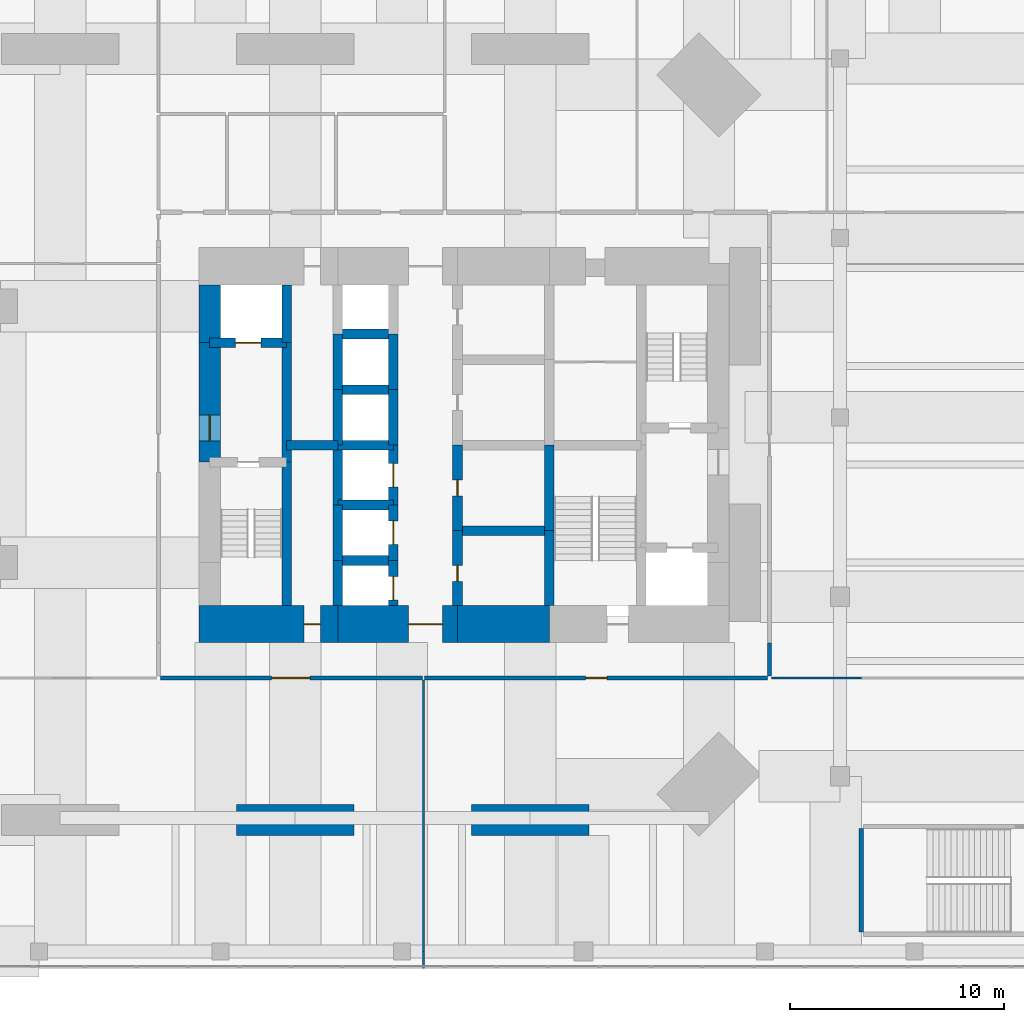
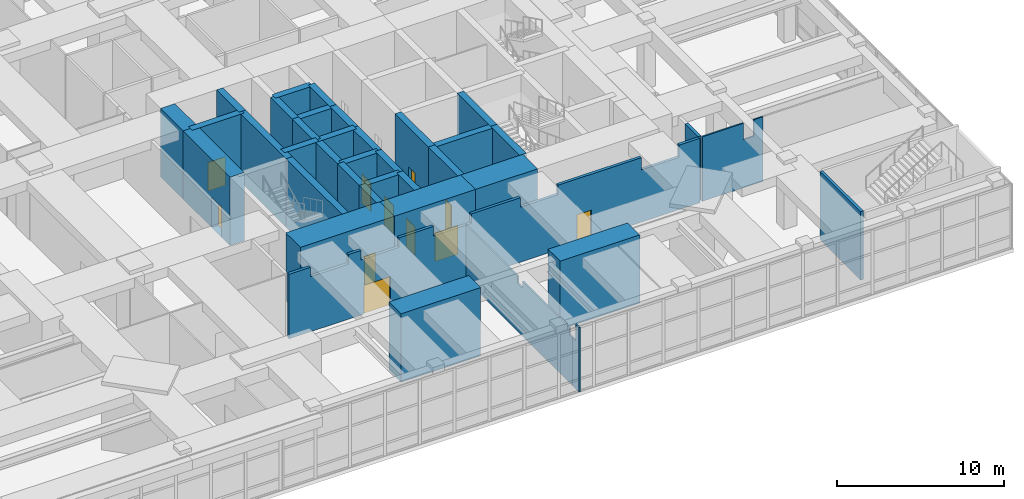
# One storey, part 19 of 24: 39 walls, 11 doors, 11 openings.
"""IFC4 building model written with IfcOpenShell, lengths in metres."""

from ifc_helpers import new_model, si_unit, direction, frame, frame_2d, origin, place, context, subcontext, project, spatial, polyline, rectangle, outline, extrude, material, layer, layer_set, constituent, constituent_set, type_object, element, fill, save


model = new_model("IFC4")

# Units and contexts
model_context = context("Model", 3, precision=1e-05, world=origin(), true_north=direction((0.0, 1.0)))
body_context = subcontext(model_context, "Body", "Model", "MODEL_VIEW")
ifc_project = project(units=[si_unit("LENGTHUNIT", "METRE"), si_unit("AREAUNIT", "SQUARE_METRE"), si_unit("VOLUMEUNIT", "CUBIC_METRE"), si_unit("PLANEANGLEUNIT", "RADIAN"), si_unit("MASSUNIT", "GRAM", prefix="KILO")], contexts=[model_context])

# Site, building, storey
site_placement = place(None, origin())
site = spatial("IfcSite", under=ifc_project, at=site_placement, CompositionType="ELEMENT")
building_placement = place(site_placement, origin())
building = spatial("IfcBuilding", under=site, at=building_placement, Name="Jalousie Tower", CompositionType="ELEMENT")
storey_placement = place(building_placement, frame((0.0, 0.0, 11.0)))
storey = spatial("IfcBuildingStorey", under=building, at=storey_placement, Name="L02", CompositionType="ELEMENT", Elevation=11.0)

# Wall
ifc_material_1 = material(Name="Concrete f'c 120 MPa", Category="concrete")
ifc_layer_1 = layer(ifc_material_1, 1.0)
ifc_layer_set_1 = layer_set([ifc_layer_1], Name="Concrete f'c 120 MPa")
wall_type_1 = type_object("IfcWallType", Name="CORE WALL 1000", PredefinedType="SHEAR", material=ifc_layer_set_1)
wall_1_placement = place(storey_placement, frame((20.0, 26.0, 0.0), z_axis=(0.0, 0.0, 1.0), x_axis=(0.0, -1.0, 0.0)))
element("IfcWall", 1, at=wall_1_placement, inside=storey, type_object=wall_type_1, Name="Core wall WA L02", PredefinedType="SHEAR", context=body_context, shape_type="SweptSolid", body=[
    extrude(rectangle(XDim=2.699951171875, YDim=1.0, at=frame_2d((1.35009765625, 0.0))), origin(), (0.0, 0.0, 1.0), 5.0),
])

# Wall, opening, door
wall_2_placement = place(storey_placement, frame((20.0, 23.300048828125, 0.0), z_axis=(0.0, 0.0, 1.0), x_axis=(0.0, -1.0, 0.0)))
wall_2 = element("IfcWall", 2, at=wall_2_placement, inside=storey, type_object=wall_type_1, Name="Core wall WB L02", PredefinedType="SHEAR", context=body_context, shape_type="SweptSolid", body=[
    extrude(rectangle(XDim=5.60009765625, YDim=1.0, at=frame_2d((2.800048828125, 0.0))), origin(), (0.0, 0.0, 1.0), 5.0),
])
opening_1_placement = place(wall_2_placement, frame((3.39990234375, 0.0, 0.0)))
opening_1 = element("IfcOpeningElement", 3, at=opening_1_placement, cuts=wall_2, Name="Opening D11", PredefinedType="OPENING", context=body_context, shape_type="SweptSolid", body=[
    extrude(rectangle(XDim=1.199951171875, YDim=2.199951171875, at=frame_2d((0.60009765625, 1.10009765625))), frame((0.0, 0.510009765625, 0.0), z_axis=(0.0, -1.0, 0.0), x_axis=(1.0, 0.0, 0.0)), (0.0, 0.0, 1.0), 1.02001953125),
])
ifc_material_2 = material(Name="Steel fire door", Category="steel")
door_type_1 = type_object("IfcDoorType", Name="FIRE DOOR 1200", OperationType="SINGLE_SWING_LEFT", PredefinedType="DOOR", material=ifc_material_2)
door_1_placement = place(opening_1_placement, origin())
door_1 = element("IfcDoor", 4, at=door_1_placement, inside=storey, type_object=door_type_1, Name="Fire-fighting lobby A door", OperationType="SINGLE_SWING_RIGHT", OverallHeight=2.199951171875, OverallWidth=1.199951171875, PredefinedType="DOOR", context=body_context, shape_type="SweptSolid", body=[
    extrude(rectangle(XDim=1.199951171875, YDim=2.199951171875, at=frame_2d((0.60009765625, 1.10009765625))), frame((0.0, 0.02490234375, 0.0), z_axis=(0.0, -1.0, 0.0), x_axis=(1.0, 0.0, 0.0)), (0.0, 0.0, 1.0), 0.050048828125),
])
fill(opening_1, door_1)

ifc_material_3 = material(Name="Concrete f'c 120 MPa", Category="concrete")
ifc_layer_2 = layer(ifc_material_3, 1.75)
ifc_layer_set_2 = layer_set([ifc_layer_2], Name="Concrete f'c 120 MPa")
wall_type_2 = type_object("IfcWallType", Name="CORE WALL 1750", PredefinedType="SHEAR", material=ifc_layer_set_2)
wall_3_placement = place(storey_placement, frame((19.5, 10.125, 0.0), z_axis=(0.0, 0.0, 1.0), x_axis=(1.0, 0.0, 0.0)))
wall_3 = element("IfcWall", 5, at=wall_3_placement, inside=storey, type_object=wall_type_2, Name="Core wall SA L02", PredefinedType="SHEAR", context=body_context, shape_type="SweptSolid", body=[
    extrude(rectangle(XDim=6.5, YDim=1.75, at=frame_2d((3.25, 0.0))), origin(), (0.0, 0.0, 1.0), 5.0),
])
opening_2_placement = place(wall_3_placement, frame((4.925048828125, 0.0, 0.0)))
opening_2 = element("IfcOpeningElement", 6, at=opening_2_placement, cuts=wall_3, Name="Opening D16", PredefinedType="OPENING", context=body_context, shape_type="SweptSolid", body=[
    extrude(rectangle(XDim=0.75, YDim=2.10009765625, at=frame_2d((0.375, 1.050048828125))), frame((0.0, 0.885009765625, 0.0), z_axis=(0.0, -1.0, 0.0), x_axis=(1.0, 0.0, 0.0)), (0.0, 0.0, 1.0), 1.77001953125),
])
ifc_material_4 = material(Name="Steel fire door", Category="steel")
door_type_2 = type_object("IfcDoorType", Name="RISER DOOR 750", OperationType="SINGLE_SWING_LEFT", PredefinedType="DOOR", material=ifc_material_4)
door_2_placement = place(opening_2_placement, origin())
door_2 = element("IfcDoor", 7, at=door_2_placement, inside=storey, type_object=door_type_2, Name="South riser door", OperationType="SINGLE_SWING_LEFT", OverallHeight=2.10009765625, OverallWidth=0.75, PredefinedType="DOOR", context=body_context, shape_type="SweptSolid", body=[
    extrude(rectangle(XDim=0.75, YDim=2.10009765625, at=frame_2d((0.375, 1.050048828125))), frame((0.0, 0.02490234375, 0.0), z_axis=(0.0, -1.0, 0.0), x_axis=(1.0, 0.0, 0.0)), (0.0, 0.0, 1.0), 0.050048828125),
])
fill(opening_2, door_2)

wall_4_placement = place(storey_placement, frame((26.0, 10.125, 0.0), z_axis=(0.0, 0.0, 1.0), x_axis=(1.0, 0.0, 0.0)))
wall_4 = element("IfcWall", 8, at=wall_4_placement, inside=storey, type_object=wall_type_2, Name="Core wall SB L02", PredefinedType="SHEAR", context=body_context, shape_type="SweptSolid", body=[
    extrude(rectangle(XDim=5.60009765625, YDim=1.75, at=frame_2d((2.800048828125, 0.0))), origin(), (0.0, 0.0, 1.0), 5.0),
])
opening_3_placement = place(wall_4_placement, frame((3.300048828125, 0.0, 0.0)))
opening_3 = element("IfcOpeningElement", 9, at=opening_3_placement, cuts=wall_4, Name="Opening D15", PredefinedType="OPENING", context=body_context, shape_type="SweptSolid", body=[
    extrude(rectangle(XDim=1.60009765625, YDim=2.10009765625, at=frame_2d((0.800048828125, 1.050048828125))), frame((0.0, 0.885009765625, 0.0), z_axis=(0.0, -1.0, 0.0), x_axis=(1.0, 0.0, 0.0)), (0.0, 0.0, 1.0), 1.77001953125),
])
ifc_material_5 = material(Name="Steel fire door", Category="steel")
door_type_3 = type_object("IfcDoorType", Name="LIFT LOBBY DOOR 1600", OperationType="DOUBLE_DOOR_SINGLE_SWING", PredefinedType="DOOR", material=ifc_material_5)
door_3_placement = place(opening_3_placement, origin())
door_3 = element("IfcDoor", 10, at=door_3_placement, inside=storey, type_object=door_type_3, Name="Lift lobby south door", OperationType="DOUBLE_DOOR_SINGLE_SWING", OverallHeight=2.10009765625, OverallWidth=1.60009765625, PredefinedType="DOOR", context=body_context, shape_type="SweptSolid", body=[
    extrude(rectangle(XDim=1.60009765625, YDim=2.10009765625, at=frame_2d((0.800048828125, 1.050048828125))), frame((0.0, 0.02490234375, 0.0), z_axis=(0.0, -1.0, 0.0), x_axis=(1.0, 0.0, 0.0)), (0.0, 0.0, 1.0), 0.050048828125),
])
fill(opening_3, door_3)

# Walls
wall_5_placement = place(storey_placement, frame((31.60009765625, 10.125, 0.0), z_axis=(0.0, 0.0, 1.0), x_axis=(1.0, 0.0, 0.0)))
element("IfcWall", 11, at=wall_5_placement, inside=storey, type_object=wall_type_2, Name="Core wall SC L02", PredefinedType="SHEAR", context=body_context, shape_type="SweptSolid", body=[
    extrude(rectangle(XDim=4.2998046875, YDim=1.75, at=frame_2d((2.14990234375, 0.0))), origin(), (0.0, 0.0, 1.0), 5.0),
])
ifc_material_6 = material(Name="Concrete f'c 120 MPa", Category="concrete")
ifc_layer_3 = layer(ifc_material_6, 0.449951171875)
ifc_layer_set_3 = layer_set([ifc_layer_3], Name="Concrete f'c 120 MPa")
wall_type_3 = type_object("IfcWallType", Name="CORE WALL 450", PredefinedType="SHEAR", material=ifc_layer_set_3)
wall_6_placement = place(storey_placement, frame((23.60009765625, 11.0, 0.0), z_axis=(0.0, 0.0, 1.0), x_axis=(0.0, 1.0, 0.0)))
element("IfcWall", 12, at=wall_6_placement, inside=storey, type_object=wall_type_3, Name="Core wall X23.6A L02", PredefinedType="SHEAR", context=body_context, shape_type="SweptSolid", body=[
    extrude(rectangle(XDim=6.699951171875, YDim=0.449951171875, at=frame_2d((3.35009765625, 0.0))), origin(), (0.0, 0.0, 1.0), 5.0),
])
wall_7_placement = place(storey_placement, frame((23.60009765625, 17.699951171875, 0.0), z_axis=(0.0, 0.0, 1.0), x_axis=(0.0, 1.0, 0.0)))
element("IfcWall", 13, at=wall_7_placement, inside=storey, type_object=wall_type_3, Name="Core wall X23.6B L02", PredefinedType="SHEAR", context=body_context, shape_type="SweptSolid", body=[
    extrude(rectangle(XDim=5.60009765625, YDim=0.449951171875, at=frame_2d((2.800048828125, 0.0))), origin(), (0.0, 0.0, 1.0), 5.0),
])
wall_8_placement = place(storey_placement, frame((23.60009765625, 23.300048828125, 0.0), z_axis=(0.0, 0.0, 1.0), x_axis=(0.0, 1.0, 0.0)))
element("IfcWall", 14, at=wall_8_placement, inside=storey, type_object=wall_type_3, Name="Core wall X23.6C L02", PredefinedType="SHEAR", context=body_context, shape_type="SweptSolid", body=[
    extrude(rectangle(XDim=2.699951171875, YDim=0.449951171875, at=frame_2d((1.35009765625, 0.0))), origin(), (0.0, 0.0, 1.0), 5.0),
])
wall_9_placement = place(storey_placement, frame((26.0, 11.0, 0.0), z_axis=(0.0, 0.0, 1.0), x_axis=(0.0, 1.0, 0.0)))
element("IfcWall", 15, at=wall_9_placement, inside=storey, type_object=wall_type_3, Name="Core wall X26A L02", PredefinedType="SHEAR", context=body_context, shape_type="SweptSolid", body=[
    extrude(rectangle(XDim=2.10009765625, YDim=0.449951171875, at=frame_2d((1.050048828125, 0.0))), origin(), (0.0, 0.0, 1.0), 5.0),
])
wall_10_placement = place(storey_placement, frame((26.0, 13.10009765625, 0.0), z_axis=(0.0, 0.0, 1.0), x_axis=(0.0, 1.0, 0.0)))
element("IfcWall", 16, at=wall_10_placement, inside=storey, type_object=wall_type_3, Name="Core wall X26B L02", PredefinedType="SHEAR", context=body_context, shape_type="SweptSolid", body=[
    extrude(rectangle(XDim=2.599853515625, YDim=0.449951171875, at=frame_2d((1.2998046875, 0.0))), origin(), (0.0, 0.0, 1.0), 5.0),
])
wall_11_placement = place(storey_placement, frame((26.0, 15.699951171875, 0.0), z_axis=(0.0, 0.0, 1.0), x_axis=(0.0, 1.0, 0.0)))
element("IfcWall", 17, at=wall_11_placement, inside=storey, type_object=wall_type_3, Name="Core wall X26C L02", PredefinedType="SHEAR", context=body_context, shape_type="SweptSolid", body=[
    extrude(rectangle(XDim=2.800048828125, YDim=0.449951171875, at=frame_2d((1.39990234375, 0.0))), origin(), (0.0, 0.0, 1.0), 5.0),
])
wall_12_placement = place(storey_placement, frame((26.0, 18.5, 0.0), z_axis=(0.0, 0.0, 1.0), x_axis=(0.0, 1.0, 0.0)))
element("IfcWall", 18, at=wall_12_placement, inside=storey, type_object=wall_type_3, Name="Core wall X26D L02", PredefinedType="SHEAR", context=body_context, shape_type="SweptSolid", body=[
    extrude(rectangle(XDim=2.60009765625, YDim=0.449951171875, at=frame_2d((1.300048828125, 0.0))), origin(), (0.0, 0.0, 1.0), 5.0),
])
wall_13_placement = place(storey_placement, frame((26.0, 21.10009765625, 0.0), z_axis=(0.0, 0.0, 1.0), x_axis=(0.0, 1.0, 0.0)))
element("IfcWall", 19, at=wall_13_placement, inside=storey, type_object=wall_type_3, Name="Core wall X26E L02", PredefinedType="SHEAR", context=body_context, shape_type="SweptSolid", body=[
    extrude(rectangle(XDim=2.599853515625, YDim=0.449951171875, at=frame_2d((1.2998046875, 0.0))), origin(), (0.0, 0.0, 1.0), 5.0),
])

# Wall, opening, door
wall_14_placement = place(storey_placement, frame((28.60009765625, 11.0, 0.0), z_axis=(0.0, 0.0, 1.0), x_axis=(0.0, 1.0, 0.0)))
wall_14 = element("IfcWall", 20, at=wall_14_placement, inside=storey, type_object=wall_type_3, Name="Core wall X28.6A L02", PredefinedType="SHEAR", context=body_context, shape_type="SweptSolid", body=[
    extrude(rectangle(XDim=2.10009765625, YDim=0.449951171875, at=frame_2d((1.050048828125, 0.0))), origin(), (0.0, 0.0, 1.0), 5.0),
])
opening_4_placement = place(wall_14_placement, frame((0.25, 0.0, 0.0)))
opening_4 = element("IfcOpeningElement", 21, at=opening_4_placement, cuts=wall_14, Name="Opening LD1", PredefinedType="OPENING", context=body_context, shape_type="SweptSolid", body=[
    extrude(rectangle(XDim=1.10009765625, YDim=2.10009765625, at=frame_2d((0.550048828125, 1.050048828125))), frame((0.0, 0.23486328125, 0.0), z_axis=(0.0, -1.0, 0.0), x_axis=(1.0, 0.0, 0.0)), (0.0, 0.0, 1.0), 0.469970703125),
])
ifc_material_7 = material(Name="Steel lift landing door", Category="steel")
door_type_4 = type_object("IfcDoorType", Name="LIFT LANDING DOOR 1100", OperationType="SLIDING_TO_LEFT", PredefinedType="DOOR", material=ifc_material_7)
door_4_placement = place(opening_4_placement, origin())
door_4 = element("IfcDoor", 22, at=door_4_placement, inside=storey, type_object=door_type_4, Name="Lift P1 landing door", OperationType="SLIDING_TO_LEFT", OverallHeight=2.10009765625, OverallWidth=1.10009765625, PredefinedType="DOOR", context=body_context, shape_type="SweptSolid", body=[
    extrude(rectangle(XDim=1.10009765625, YDim=2.10009765625, at=frame_2d((0.550048828125, 1.050048828125))), frame((0.0, 0.02490234375, 0.0), z_axis=(0.0, -1.0, 0.0), x_axis=(1.0, 0.0, 0.0)), (0.0, 0.0, 1.0), 0.050048828125),
])
fill(opening_4, door_4)

wall_15_placement = place(storey_placement, frame((28.60009765625, 13.10009765625, 0.0), z_axis=(0.0, 0.0, 1.0), x_axis=(0.0, 1.0, 0.0)))
wall_15 = element("IfcWall", 23, at=wall_15_placement, inside=storey, type_object=wall_type_3, Name="Core wall X28.6B L02", PredefinedType="SHEAR", context=body_context, shape_type="SweptSolid", body=[
    extrude(rectangle(XDim=2.599853515625, YDim=0.449951171875, at=frame_2d((1.2998046875, 0.0))), origin(), (0.0, 0.0, 1.0), 5.0),
])
opening_5_placement = place(wall_15_placement, frame((0.75, 0.0, 0.0)))
opening_5 = element("IfcOpeningElement", 24, at=opening_5_placement, cuts=wall_15, Name="Opening LD1", PredefinedType="OPENING", context=body_context, shape_type="SweptSolid", body=[
    extrude(rectangle(XDim=1.10009765625, YDim=2.10009765625, at=frame_2d((0.550048828125, 1.050048828125))), frame((0.0, 0.23486328125, 0.0), z_axis=(0.0, -1.0, 0.0), x_axis=(1.0, 0.0, 0.0)), (0.0, 0.0, 1.0), 0.469970703125),
])
door_5_placement = place(opening_5_placement, origin())
door_5 = element("IfcDoor", 25, at=door_5_placement, inside=storey, type_object=door_type_4, Name="Lift P2 landing door", OperationType="SLIDING_TO_LEFT", OverallHeight=2.10009765625, OverallWidth=1.10009765625, PredefinedType="DOOR", context=body_context, shape_type="SweptSolid", body=[
    extrude(rectangle(XDim=1.10009765625, YDim=2.10009765625, at=frame_2d((0.550048828125, 1.050048828125))), frame((0.0, 0.02490234375, 0.0), z_axis=(0.0, -1.0, 0.0), x_axis=(1.0, 0.0, 0.0)), (0.0, 0.0, 1.0), 0.050048828125),
])
fill(opening_5, door_5)

wall_16_placement = place(storey_placement, frame((28.60009765625, 15.699951171875, 0.0), z_axis=(0.0, 0.0, 1.0), x_axis=(0.0, 1.0, 0.0)))
wall_16 = element("IfcWall", 26, at=wall_16_placement, inside=storey, type_object=wall_type_3, Name="Core wall X28.6C L02", PredefinedType="SHEAR", context=body_context, shape_type="SweptSolid", body=[
    extrude(rectangle(XDim=2.800048828125, YDim=0.449951171875, at=frame_2d((1.39990234375, 0.0))), origin(), (0.0, 0.0, 1.0), 5.0),
])
opening_6_placement = place(wall_16_placement, frame((0.85009765625, 0.0, 0.0)))
opening_6 = element("IfcOpeningElement", 27, at=opening_6_placement, cuts=wall_16, Name="Opening LD1", PredefinedType="OPENING", context=body_context, shape_type="SweptSolid", body=[
    extrude(rectangle(XDim=1.10009765625, YDim=2.10009765625, at=frame_2d((0.550048828125, 1.050048828125))), frame((0.0, 0.23486328125, 0.0), z_axis=(0.0, -1.0, 0.0), x_axis=(1.0, 0.0, 0.0)), (0.0, 0.0, 1.0), 0.469970703125),
])
door_6_placement = place(opening_6_placement, origin())
door_6 = element("IfcDoor", 28, at=door_6_placement, inside=storey, type_object=door_type_4, Name="Lift P3 landing door", OperationType="SLIDING_TO_LEFT", OverallHeight=2.10009765625, OverallWidth=1.10009765625, PredefinedType="DOOR", context=body_context, shape_type="SweptSolid", body=[
    extrude(rectangle(XDim=1.10009765625, YDim=2.10009765625, at=frame_2d((0.550048828125, 1.050048828125))), frame((0.0, 0.02490234375, 0.0), z_axis=(0.0, -1.0, 0.0), x_axis=(1.0, 0.0, 0.0)), (0.0, 0.0, 1.0), 0.050048828125),
])
fill(opening_6, door_6)

# Walls
wall_17_placement = place(storey_placement, frame((28.60009765625, 18.5, 0.0), z_axis=(0.0, 0.0, 1.0), x_axis=(0.0, 1.0, 0.0)))
element("IfcWall", 29, at=wall_17_placement, inside=storey, type_object=wall_type_3, Name="Core wall X28.6D L02", PredefinedType="SHEAR", context=body_context, shape_type="SweptSolid", body=[
    extrude(rectangle(XDim=2.60009765625, YDim=0.449951171875, at=frame_2d((1.300048828125, 0.0))), origin(), (0.0, 0.0, 1.0), 5.0),
])
wall_18_placement = place(storey_placement, frame((28.60009765625, 21.10009765625, 0.0), z_axis=(0.0, 0.0, 1.0), x_axis=(0.0, 1.0, 0.0)))
element("IfcWall", 30, at=wall_18_placement, inside=storey, type_object=wall_type_3, Name="Core wall X28.6E L02", PredefinedType="SHEAR", context=body_context, shape_type="SweptSolid", body=[
    extrude(rectangle(XDim=2.599853515625, YDim=0.449951171875, at=frame_2d((1.2998046875, 0.0))), origin(), (0.0, 0.0, 1.0), 5.0),
])

# Wall, opening, door
wall_19_placement = place(storey_placement, frame((31.60009765625, 11.0, 0.0), z_axis=(0.0, 0.0, 1.0), x_axis=(0.0, 1.0, 0.0)))
wall_19 = element("IfcWall", 31, at=wall_19_placement, inside=storey, type_object=wall_type_3, Name="Core wall X31.6A L02", PredefinedType="SHEAR", context=body_context, shape_type="SweptSolid", body=[
    extrude(rectangle(XDim=3.5, YDim=0.449951171875, at=frame_2d((1.75, 0.0))), origin(), (0.0, 0.0, 1.0), 5.0),
])
opening_7_placement = place(wall_19_placement, frame((1.125, 0.0, 0.0)))
opening_7 = element("IfcOpeningElement", 32, at=opening_7_placement, cuts=wall_19, Name="Opening D16", PredefinedType="OPENING", context=body_context, shape_type="SweptSolid", body=[
    extrude(rectangle(XDim=0.75, YDim=2.10009765625, at=frame_2d((0.375, 1.050048828125))), frame((0.0, 0.23486328125, 0.0), z_axis=(0.0, -1.0, 0.0), x_axis=(1.0, 0.0, 0.0)), (0.0, 0.0, 1.0), 0.469970703125),
])
door_7_placement = place(opening_7_placement, frame((0.75, 0.0, 0.0), z_axis=(0.0, 0.0, 1.0), x_axis=(-1.0, 0.0, 0.0)))
door_7 = element("IfcDoor", 33, at=door_7_placement, inside=storey, type_object=door_type_2, Name="Refuse Room door", OperationType="SINGLE_SWING_RIGHT", OverallHeight=2.10009765625, OverallWidth=0.75, PredefinedType="DOOR", context=body_context, shape_type="SweptSolid", body=[
    extrude(rectangle(XDim=0.75, YDim=2.10009765625, at=frame_2d((0.375, 1.050048828125))), frame((0.0, 0.02490234375, 0.0), z_axis=(0.0, -1.0, 0.0), x_axis=(1.0, 0.0, 0.0)), (0.0, 0.0, 1.0), 0.050048828125),
])
fill(opening_7, door_7)

wall_20_placement = place(storey_placement, frame((31.60009765625, 14.5, 0.0), z_axis=(0.0, 0.0, 1.0), x_axis=(0.0, 1.0, 0.0)))
wall_20 = element("IfcWall", 34, at=wall_20_placement, inside=storey, type_object=wall_type_3, Name="Core wall X31.6B L02", PredefinedType="SHEAR", context=body_context, shape_type="SweptSolid", body=[
    extrude(rectangle(XDim=4.0, YDim=0.449951171875, at=frame_2d((2.0, 0.0))), origin(), (0.0, 0.0, 1.0), 5.0),
])
opening_8_placement = place(wall_20_placement, frame((1.625, 0.0, 0.0)))
opening_8 = element("IfcOpeningElement", 35, at=opening_8_placement, cuts=wall_20, Name="Opening D16", PredefinedType="OPENING", context=body_context, shape_type="SweptSolid", body=[
    extrude(rectangle(XDim=0.75, YDim=2.10009765625, at=frame_2d((0.375, 1.050048828125))), frame((0.0, 0.23486328125, 0.0), z_axis=(0.0, -1.0, 0.0), x_axis=(1.0, 0.0, 0.0)), (0.0, 0.0, 1.0), 0.469970703125),
])
door_8_placement = place(opening_8_placement, frame((0.75, 0.0, 0.0), z_axis=(0.0, 0.0, 1.0), x_axis=(-1.0, 0.0, 0.0)))
door_8 = element("IfcDoor", 36, at=door_8_placement, inside=storey, type_object=door_type_2, Name="Electrical Room door", OperationType="SINGLE_SWING_RIGHT", OverallHeight=2.10009765625, OverallWidth=0.75, PredefinedType="DOOR", context=body_context, shape_type="SweptSolid", body=[
    extrude(rectangle(XDim=0.75, YDim=2.10009765625, at=frame_2d((0.375, 1.050048828125))), frame((0.0, 0.02490234375, 0.0), z_axis=(0.0, -1.0, 0.0), x_axis=(1.0, 0.0, 0.0)), (0.0, 0.0, 1.0), 0.050048828125),
])
fill(opening_8, door_8)

# Walls
wall_21_placement = place(storey_placement, frame((35.89990234375, 11.0, 0.0), z_axis=(0.0, 0.0, 1.0), x_axis=(0.0, 1.0, 0.0)))
element("IfcWall", 37, at=wall_21_placement, inside=storey, type_object=wall_type_3, Name="Core wall X35.9A L02", PredefinedType="SHEAR", context=body_context, shape_type="SweptSolid", body=[
    extrude(rectangle(XDim=3.5, YDim=0.449951171875, at=frame_2d((1.75, 0.0))), origin(), (0.0, 0.0, 1.0), 5.0),
])
wall_22_placement = place(storey_placement, frame((35.89990234375, 14.5, 0.0), z_axis=(0.0, 0.0, 1.0), x_axis=(0.0, 1.0, 0.0)))
element("IfcWall", 38, at=wall_22_placement, inside=storey, type_object=wall_type_3, Name="Core wall X35.9B L02", PredefinedType="SHEAR", context=body_context, shape_type="SweptSolid", body=[
    extrude(rectangle(XDim=4.0, YDim=0.449951171875, at=frame_2d((2.0, 0.0))), origin(), (0.0, 0.0, 1.0), 5.0),
])

# Wall, opening, door
wall_23_placement = place(storey_placement, frame((20.0, 23.300048828125, 0.0), z_axis=(0.0, 0.0, 1.0), x_axis=(1.0, 0.0, 0.0)))
wall_23 = element("IfcWall", 39, at=wall_23_placement, inside=storey, type_object=wall_type_3, Name="Core wall Y20-23.3 L02", PredefinedType="SHEAR", context=body_context, shape_type="SweptSolid", body=[
    extrude(rectangle(XDim=3.60009765625, YDim=0.449951171875, at=frame_2d((1.800048828125, 0.0))), origin(), (0.0, 0.0, 1.0), 5.0),
])
opening_9_placement = place(wall_23_placement, frame((1.199951171875, 0.0, 0.0)))
opening_9 = element("IfcOpeningElement", 40, at=opening_9_placement, cuts=wall_23, Name="Opening LD2", PredefinedType="OPENING", context=body_context, shape_type="SweptSolid", body=[
    extrude(rectangle(XDim=1.199951171875, YDim=2.10009765625, at=frame_2d((0.60009765625, 1.050048828125))), frame((0.0, 0.23486328125, 0.0), z_axis=(0.0, -1.0, 0.0), x_axis=(1.0, 0.0, 0.0)), (0.0, 0.0, 1.0), 0.469970703125),
])
ifc_material_8 = material(Name="Steel lift landing door", Category="steel")
door_type_5 = type_object("IfcDoorType", Name="LIFT LANDING DOOR 1200", OperationType="SLIDING_TO_LEFT", PredefinedType="DOOR", material=ifc_material_8)
door_9_placement = place(opening_9_placement, origin())
door_9 = element("IfcDoor", 41, at=door_9_placement, inside=storey, type_object=door_type_5, Name="Lift F1 landing door", OperationType="SLIDING_TO_LEFT", OverallHeight=2.10009765625, OverallWidth=1.199951171875, PredefinedType="DOOR", context=body_context, shape_type="SweptSolid", body=[
    extrude(rectangle(XDim=1.199951171875, YDim=2.10009765625, at=frame_2d((0.60009765625, 1.050048828125))), frame((0.0, 0.02490234375, 0.0), z_axis=(0.0, -1.0, 0.0), x_axis=(1.0, 0.0, 0.0)), (0.0, 0.0, 1.0), 0.050048828125),
])
fill(opening_9, door_9)

# Walls
wall_24_placement = place(storey_placement, frame((23.60009765625, 18.5, 0.0), z_axis=(0.0, 0.0, 1.0), x_axis=(1.0, 0.0, 0.0)))
element("IfcWall", 42, at=wall_24_placement, inside=storey, type_object=wall_type_3, Name="Core wall Y23.6-18.5 L02", PredefinedType="SHEAR", context=body_context, shape_type="SweptSolid", body=[
    extrude(rectangle(XDim=2.39990234375, YDim=0.449951171875, at=frame_2d((1.199951171875, 0.0))), origin(), (0.0, 0.0, 1.0), 5.0),
])
for number, where, z_axis, x_axis, name in (
    (43, (26.0, 13.10009765625, 0.0), (0.0, 0.0, 1.0), (1.0, 0.0, 0.0), "Core wall Y26-13.1 L02"),
    (44, (26.0, 15.699951171875, 0.0), (0.0, 0.0, 1.0), (1.0, 0.0, 0.0), "Core wall Y26-15.7 L02"),
    (45, (26.0, 18.5, 0.0), (0.0, 0.0, 1.0), (1.0, 0.0, 0.0), "Core wall Y26-18.5 L02"),
    (46, (26.0, 21.10009765625, 0.0), (0.0, 0.0, 1.0), (1.0, 0.0, 0.0), "Core wall Y26-21.1 L02"),
    (47, (26.0, 23.699951171875, 0.0), (0.0, 0.0, 1.0), (1.0, 0.0, 0.0), "Core wall Y26-23.7 L02"),
):
    element("IfcWall", number, at=place(storey_placement, frame(where, z_axis=z_axis, x_axis=x_axis)), inside=storey, type_object=wall_type_3, Name=name, PredefinedType="SHEAR", context=body_context, shape_type="SweptSolid", body=[
        extrude(rectangle(XDim=2.60009765625, YDim=0.449951171875, at=frame_2d((1.300048828125, 0.0))), origin(), (0.0, 0.0, 1.0), 5.0),
    ])
wall_25_placement = place(storey_placement, frame((31.60009765625, 14.5, 0.0), z_axis=(0.0, 0.0, 1.0), x_axis=(1.0, 0.0, 0.0)))
element("IfcWall", 48, at=wall_25_placement, inside=storey, type_object=wall_type_3, Name="Core wall Y31.6-14.5 L02", PredefinedType="SHEAR", context=body_context, shape_type="SweptSolid", body=[
    extrude(rectangle(XDim=4.2998046875, YDim=0.449951171875, at=frame_2d((2.14990234375, 0.0))), origin(), (0.0, 0.0, 1.0), 5.0),
])

# Wall, opening, door
ifc_material_9 = material(Name="Concrete block ASTM C90", Category="concrete")
ifc_constituent_1 = constituent(ifc_material_9, Name="Body")
ifc_material_10 = material(Name="Render")
ifc_constituent_2 = constituent(ifc_material_10, Name="Finish")
ifc_constituent_set_1 = constituent_set(constituents=[ifc_constituent_1, ifc_constituent_2])
wall_type_4 = type_object("IfcWallType", Name="CORRIDOR WALL 200", PredefinedType="PARTITIONING", material=ifc_constituent_set_1)
wall_26_placement = place(storey_placement, frame((17.699951171875, 7.60009765625, 0.0), z_axis=(0.0, 0.0, 1.0), x_axis=(1.0, 0.0, 0.0)))
wall_26 = element("IfcWall", 49, at=wall_26_placement, inside=storey, type_object=wall_type_4, Name="Corridor Wall 200 L02", PredefinedType="PARTITIONING", context=body_context, shape_type="SweptSolid", body=[
    extrude(outline(polyline([(0.0, 0.0), (12.25, 0.0), (12.25, 4.719970703125), (12.25, 4.02001953125), (9.989990234375, 4.02001953125), (9.989990234375, 4.719970703125), (7.610107421875, 4.719970703125), (7.610107421875, 4.02001953125), (4.989990234375, 4.02001953125), (4.989990234375, 4.719970703125), (4.110107421875, 4.719970703125), (4.110107421875, 4.02001953125), (1.489990234375, 4.02001953125), (1.489990234375, 4.719970703125), (0.0, 4.719970703125), (0.0, 0.0)])), frame((0.0, 0.10009765625, 0.0), z_axis=(0.0, -1.0, 0.0), x_axis=(1.0, 0.0, 0.0)), (0.0, 0.0, 1.0), 0.199951171875),
])
opening_10_placement = place(wall_26_placement, frame((5.199951171875, 0.0, 0.0)))
opening_10 = element("IfcOpeningElement", 50, at=opening_10_placement, cuts=wall_26, Name="Opening D22", PredefinedType="OPENING", context=body_context, shape_type="SweptSolid", body=[
    extrude(rectangle(XDim=1.800048828125, YDim=2.10009765625, at=frame_2d((0.89990234375, 1.050048828125))), frame((0.0, 0.10986328125, 0.0), z_axis=(0.0, -1.0, 0.0), x_axis=(1.0, 0.0, 0.0)), (0.0, 0.0, 1.0), 0.219970703125),
])
ifc_material_11 = material(Name="Timber fire door", Category="wood")
door_type_6 = type_object("IfcDoorType", Name="CORRIDOR DOUBLE DOOR 1800", OperationType="DOUBLE_DOOR_SINGLE_SWING", PredefinedType="DOOR", material=ifc_material_11)
door_10_placement = place(opening_10_placement, frame((1.800048828125, 0.0, 0.0), z_axis=(0.0, 0.0, 1.0), x_axis=(-1.0, 0.0, 0.0)))
door_10 = element("IfcDoor", 51, at=door_10_placement, inside=storey, type_object=door_type_6, Name="Foyer door", OperationType="DOUBLE_DOOR_SINGLE_SWING", OverallHeight=2.10009765625, OverallWidth=1.800048828125, PredefinedType="DOOR", context=body_context, shape_type="SweptSolid", body=[
    extrude(rectangle(XDim=1.800048828125, YDim=2.10009765625, at=frame_2d((0.89990234375, 1.050048828125))), frame((0.0, 0.02490234375, 0.0), z_axis=(0.0, -1.0, 0.0), x_axis=(1.0, 0.0, 0.0)), (0.0, 0.0, 1.0), 0.050048828125),
])
fill(opening_10, door_10)

wall_27_placement = place(storey_placement, frame((30.050048828125, 7.60009765625, 0.0), z_axis=(0.0, 0.0, 1.0), x_axis=(1.0, 0.0, 0.0)))
wall_27 = element("IfcWall", 52, at=wall_27_placement, inside=storey, type_object=wall_type_4, Name="Corridor Wall 200 L02", PredefinedType="PARTITIONING", context=body_context, shape_type="SweptSolid", body=[
    extrude(outline(polyline([(0.0, 0.0), (16.050048828125, 0.0), (16.050048828125, 4.719970703125), (14.628662109375, 4.719970703125), (14.628662109375, 3.820068359375), (12.008544921875, 3.820068359375), (12.008544921875, 4.719970703125), (6.260009765625, 4.719970703125), (6.260009765625, 4.02001953125), (3.639892578125, 4.02001953125), (3.639892578125, 4.719970703125), (0.260009765625, 4.719970703125), (0.260009765625, 4.02001953125), (0.0, 4.02001953125), (0.0, 4.719970703125), (0.0, 0.0)])), frame((0.0, 0.10009765625, 0.0), z_axis=(0.0, -1.0, 0.0), x_axis=(1.0, 0.0, 0.0)), (0.0, 0.0, 1.0), 0.199951171875),
])
opening_11_placement = place(wall_27_placement, frame((7.550048828125, 0.0, 0.0)))
opening_11 = element("IfcOpeningElement", 53, at=opening_11_placement, cuts=wall_27, Name="Opening D21", PredefinedType="OPENING", context=body_context, shape_type="SweptSolid", body=[
    extrude(rectangle(XDim=1.0, YDim=2.10009765625, at=frame_2d((0.5, 1.050048828125))), frame((0.0, 0.10986328125, 0.0), z_axis=(0.0, -1.0, 0.0), x_axis=(1.0, 0.0, 0.0)), (0.0, 0.0, 1.0), 0.219970703125),
])
ifc_material_12 = material(Name="Timber fire door", Category="wood")
door_type_7 = type_object("IfcDoorType", Name="CORRIDOR DOOR 1000", OperationType="SINGLE_SWING_LEFT", PredefinedType="DOOR", material=ifc_material_12)
door_11_placement = place(opening_11_placement, frame((1.0, 0.0, 0.0), z_axis=(0.0, 0.0, 1.0), x_axis=(-1.0, 0.0, 0.0)))
door_11 = element("IfcDoor", 54, at=door_11_placement, inside=storey, type_object=door_type_7, Name="Business centre door", OperationType="SINGLE_SWING_LEFT", OverallHeight=2.10009765625, OverallWidth=1.0, PredefinedType="DOOR", context=body_context, shape_type="SweptSolid", body=[
    extrude(rectangle(XDim=1.0, YDim=2.10009765625, at=frame_2d((0.5, 1.050048828125))), frame((0.0, 0.02490234375, 0.0), z_axis=(0.0, -1.0, 0.0), x_axis=(1.0, 0.0, 0.0)), (0.0, 0.0, 1.0), 0.050048828125),
])
fill(opening_11, door_11)

# Walls
wall_28_placement = place(storey_placement, frame((46.199951171875, 7.699951171875, 0.0), z_axis=(0.0, 0.0, 1.0), x_axis=(0.0, 1.0, 0.0)))
element("IfcWall", 55, at=wall_28_placement, inside=storey, type_object=wall_type_4, Name="Corridor Wall 200 L02", PredefinedType="PARTITIONING", context=body_context, shape_type="SweptSolid", body=[
    extrude(rectangle(XDim=1.550048828125, YDim=0.199951171875, at=frame_2d((0.77490234375, 0.0))), origin(), (0.0, 0.0, 1.0), 4.719970703125),
])
ifc_material_13 = material(Name="Gypsum board", Category="gypsum")
ifc_constituent_3 = constituent(ifc_material_13, Name="Body")
ifc_material_14 = material(Name="Light-gauge steel studs ASTM A653 SS Grade 33", Category="steel")
ifc_constituent_4 = constituent(ifc_material_14, Name="Framing")
ifc_constituent_set_2 = constituent_set(constituents=[ifc_constituent_3, ifc_constituent_4])
wall_type_5 = type_object("IfcWallType", Name="PARTITION 100", PredefinedType="PARTITIONING", material=ifc_constituent_set_2)
wall_29_placement = place(storey_placement, frame((30.0, -6.0, 0.0), z_axis=(0.0, 0.0, 1.0), x_axis=(0.0, 1.0, 0.0)))
element("IfcWall", 56, at=wall_29_placement, inside=storey, type_object=wall_type_5, Name="Partition 100 L02-A", PredefinedType="PARTITIONING", context=body_context, shape_type="SweptSolid", body=[
    extrude(outline(polyline([(0.0, 0.0), (0.800048828125, 0.0), (0.800048828125, 3.52001953125), (0.43994140625, 3.52001953125), (0.43994140625, 4.719970703125), (0.0, 4.719970703125), (0.0, 0.0)])), frame((0.0, 0.050048828125, 0.0), z_axis=(0.0, -1.0, 0.0), x_axis=(1.0, 0.0, 0.0)), (0.0, 0.0, 1.0), 0.10009765625),
])
wall_30_placement = place(storey_placement, frame((30.0, -5.199951171875, 0.0), z_axis=(0.0, 0.0, 1.0), x_axis=(0.0, 1.0, 0.0)))
element("IfcWall", 57, at=wall_30_placement, inside=storey, type_object=wall_type_5, Name="Partition 100 L02-B", PredefinedType="PARTITIONING", context=body_context, shape_type="SweptSolid", body=[
    extrude(outline(polyline([(0.0, 0.0), (12.699951171875, 0.0), (12.699951171875, 4.02001953125), (6.550048828125, 4.02001953125), (6.550048828125, 3.52001953125), (5.949951171875, 3.52001953125), (5.949951171875, 4.02001953125), (0.360107421875, 4.02001953125), (0.360107421875, 3.52001953125), (0.0, 3.52001953125), (0.0, 0.0)])), frame((0.0, 0.050048828125, 0.0), z_axis=(0.0, -1.0, 0.0), x_axis=(1.0, 0.0, 0.0)), (0.0, 0.0, 1.0), 0.10009765625),
])
wall_31_placement = place(storey_placement, frame((46.300048828125, 7.60009765625, 0.0), z_axis=(0.0, 0.0, 1.0), x_axis=(1.0, 0.0, 0.0)))
element("IfcWall", 58, at=wall_31_placement, inside=storey, type_object=wall_type_5, Name="Partition 100 L02", PredefinedType="PARTITIONING", context=body_context, shape_type="SweptSolid", body=[
    extrude(outline(polyline([(0.0, 0.0), (4.199951171875, 0.0), (4.199951171875, 4.719970703125), (3.56005859375, 4.719970703125), (3.56005859375, 3.52001953125), (2.840087890625, 3.52001953125), (2.840087890625, 4.719970703125), (0.0, 4.719970703125), (0.0, 0.0)])), frame((0.0, 0.050048828125, 0.0), z_axis=(0.0, -1.0, 0.0), x_axis=(1.0, 0.0, 0.0)), (0.0, 0.0, 1.0), 0.10009765625),
])
ifc_material_15 = material(Name="Concrete f'c 120 MPa", Category="concrete")
ifc_layer_4 = layer(ifc_material_15, 1.449951171875)
ifc_layer_set_4 = layer_set([ifc_layer_4], Name="Concrete f'c 120 MPa")
wall_type_6 = type_object("IfcWallType", Name="RC WALL PIER 1450", PredefinedType="SHEAR", material=ifc_layer_set_4)
for number, where, z_axis, x_axis, name in (
    (59, (21.25, 0.949951171875, 0.0), (0.0, 0.0, 1.0), (1.0, 0.0, 0.0), "Wall pier 03 L02"),
    (60, (32.25, 0.949951171875, 0.0), (0.0, 0.0, 1.0), (1.0, 0.0, 0.0), "Wall pier 04 L02"),
):
    element("IfcWall", number, at=place(storey_placement, frame(where, z_axis=z_axis, x_axis=x_axis)), inside=storey, type_object=wall_type_6, Name=name, PredefinedType="SHEAR", context=body_context, shape_type="SweptSolid", body=[
        extrude(rectangle(XDim=5.5, YDim=1.449951171875, at=frame_2d((2.75, 0.0))), origin(), (0.0, 0.0, 1.0), 5.0),
    ])
ifc_material_16 = material(Name="Concrete block ASTM C90", Category="concrete")
ifc_constituent_5 = constituent(ifc_material_16, Name="Body")
ifc_material_17 = material(Name="Render")
ifc_constituent_6 = constituent(ifc_material_17, Name="Finish")
ifc_constituent_set_3 = constituent_set(constituents=[ifc_constituent_5, ifc_constituent_6])
wall_type_7 = type_object("IfcWallType", Name="STAIR WALL 200", PredefinedType="SOLIDWALL", material=ifc_constituent_set_3)
wall_32_placement = place(storey_placement, frame((50.5, -4.300048828125, 0.0), z_axis=(0.0, 0.0, 1.0), x_axis=(0.0, 1.0, 0.0)))
element("IfcWall", 61, at=wall_32_placement, inside=storey, type_object=wall_type_7, Name="Stair Wall 200 L02", PredefinedType="SOLIDWALL", context=body_context, shape_type="SweptSolid", body=[
    extrude(rectangle(XDim=4.85009765625, YDim=0.199951171875, at=frame_2d((2.425048828125, 0.0))), origin(), (0.0, 0.0, 1.0), 5.0),
])

save(model, "model.ifc")
